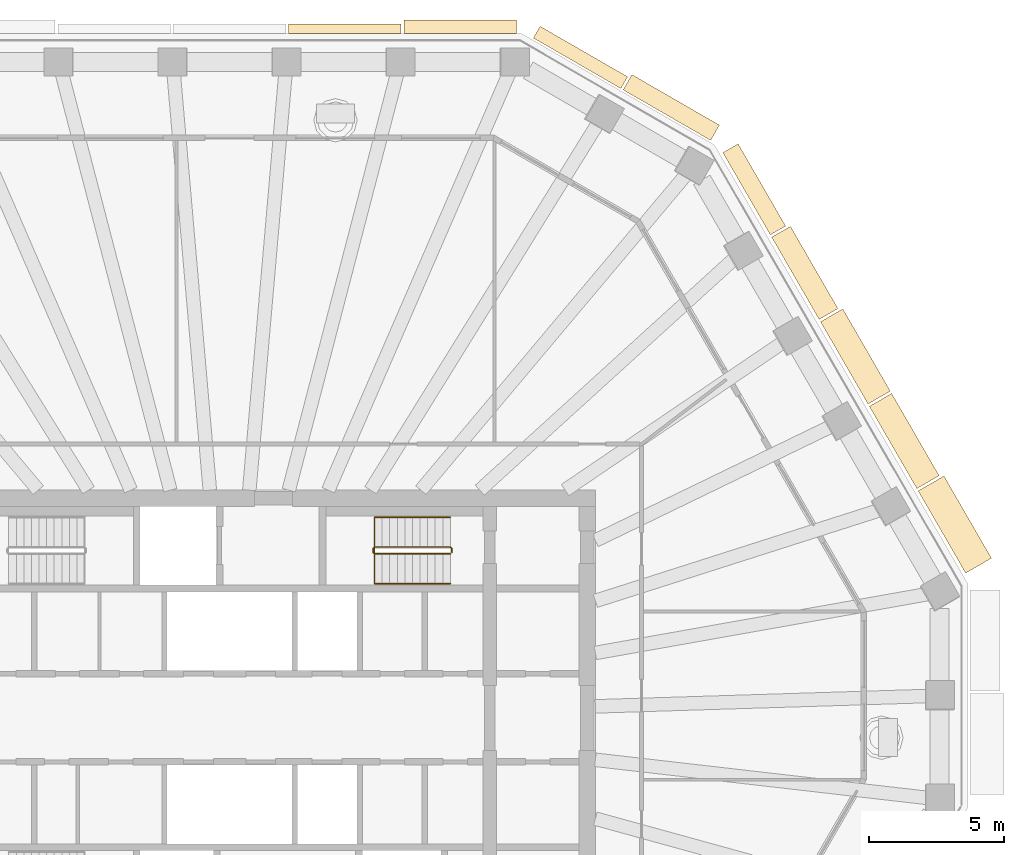
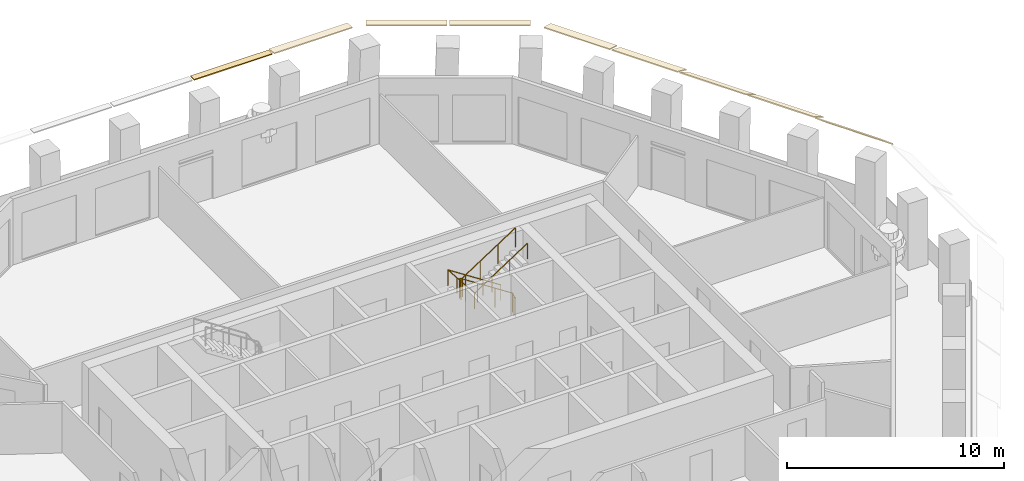
# One storey, part 10 of 12: 9 coverings, 2 railings.
"""IFC4 building model written with IfcOpenShell, lengths in metres."""

from ifc_helpers import new_model, si_unit, direction, frame, origin, origin_2d, place, context, subcontext, project, spatial, polyline, circle, outline, extrude, material, layer, layer_set, type_object, element, save


model = new_model("IFC4")

# Units and contexts
model_context = context("Model", 3, precision=1e-05, world=origin(), true_north=direction((0.0, 1.0)))
body_context = subcontext(model_context, "Body", "Model", "MODEL_VIEW")
ifc_project = project(units=[si_unit("LENGTHUNIT", "METRE"), si_unit("AREAUNIT", "SQUARE_METRE"), si_unit("VOLUMEUNIT", "CUBIC_METRE"), si_unit("PLANEANGLEUNIT", "RADIAN"), si_unit("MASSUNIT", "GRAM", prefix="KILO")], contexts=[model_context])

# Site, building, storey
site_placement = place(None, origin())
site = spatial("IfcSite", under=ifc_project, at=site_placement, CompositionType="ELEMENT")
building_placement = place(site_placement, origin())
building = spatial("IfcBuilding", under=site, at=building_placement, Name="Frailejon Research Tower", CompositionType="ELEMENT")
storey_placement = place(building_placement, frame((0.0, 0.0, 237.39990234375)))
storey = spatial("IfcBuildingStorey", under=building, at=storey_placement, Name="L51", CompositionType="ELEMENT", Elevation=237.39990234375)

# Coverings
ifc_material_1 = material(Name="Precast concrete C50/60", Category="concrete")
ifc_layer_1 = layer(ifc_material_1, 0.06005859375)
ifc_layer_set_1 = layer_set([ifc_layer_1], Name="Brim blade depth 1100")
covering_type_1 = type_object("IfcCoveringType", Name="Brim blade depth 1100", PredefinedType="CLADDING", material=ifc_layer_set_1)
covering_1_placement = place(storey_placement, frame((25.4111328125, 8.3720703125, 3.85009765625), z_axis=(0.500001099119, -0.866024769207, 0.0), x_axis=(0.866024769207, 0.500001099119, 0.0)))
element("IfcCovering", 1, at=covering_1_placement, inside=storey, type_object=covering_type_1, Name="Brim blade L51", PredefinedType="CLADDING", context=body_context, shape_type="SweptSolid", body=[
    extrude(outline(polyline([(0.0, -0.078369140625), (1.10009765625, -1.001220703125), (1.10009765625, -0.923095703125), (0.0, 0.0), (0.0, -0.078369140625)])), origin(), (0.0, 0.0, 1.0), 3.503662109375),
])
ifc_material_2 = material(Name="Precast concrete C50/60", Category="concrete")
ifc_layer_2 = layer(ifc_material_2, 0.06005859375)
ifc_layer_set_2 = layer_set([ifc_layer_2], Name="Brim blade depth 350")
covering_type_2 = type_object("IfcCoveringType", Name="Brim blade depth 350", PredefinedType="CLADDING", material=ifc_layer_set_2)
covering_2_placement = place(storey_placement, frame((2.178466796875, 25.25, 3.85009765625), z_axis=(1.0, 0.0, 0.0), x_axis=(0.0, 1.0, 0.0)))
element("IfcCovering", 2, at=covering_2_placement, inside=storey, type_object=covering_type_2, Name="Brim blade L51", PredefinedType="CLADDING", context=body_context, shape_type="SweptSolid", body=[
    extrude(outline(polyline([(0.0, -0.06005859375), (0.35009765625, -0.06005859375), (0.35009765625, 0.0), (0.0, 0.0), (0.0, -0.06005859375)])), origin(), (0.0, 0.0, 1.0), 4.15673828125),
])
ifc_material_3 = material(Name="Precast concrete C50/60", Category="concrete")
ifc_layer_3 = layer(ifc_material_3, 0.06005859375)
ifc_layer_set_3 = layer_set([ifc_layer_3], Name="Brim blade depth 500")
covering_type_3 = type_object("IfcCoveringType", Name="Brim blade depth 500", PredefinedType="CLADDING", material=ifc_layer_set_3)
covering_3_placement = place(storey_placement, frame((11.210205078125, 25.084228515625, 3.85009765625), z_axis=(0.866018477835, -0.500011995905, 0.0), x_axis=(0.500011995905, 0.866018477835, 0.0)))
element("IfcCovering", 3, at=covering_3_placement, inside=storey, type_object=covering_type_3, Name="Brim blade L51", PredefinedType="CLADDING", context=body_context, shape_type="SweptSolid", body=[
    extrude(outline(polyline([(0.0, -0.060546875), (0.5, -0.130859375), (0.5, -0.0703125), (0.0, 0.0), (0.0, -0.060546875)])), origin(), (0.0, 0.0, 1.0), 3.726806640625),
])
covering_4_placement = place(storey_placement, frame((6.43505859375, 25.25, 3.85009765625), z_axis=(1.0, 0.0, 0.0), x_axis=(0.0, 1.0, 0.0)))
element("IfcCovering", 4, at=covering_4_placement, inside=storey, type_object=covering_type_3, Name="Brim blade L51", PredefinedType="CLADDING", context=body_context, shape_type="SweptSolid", body=[
    extrude(outline(polyline([(0.0, -0.060546875), (0.5, -0.130859375), (0.5, -0.0703125), (0.0, 0.0), (0.0, -0.060546875)])), origin(), (0.0, 0.0, 1.0), 4.15673828125),
])
ifc_material_4 = material(Name="Precast concrete C50/60", Category="concrete")
ifc_layer_4 = layer(ifc_material_4, 0.06005859375)
ifc_layer_set_4 = layer_set([ifc_layer_4], Name="Brim blade depth 650")
covering_type_4 = type_object("IfcCoveringType", Name="Brim blade depth 650", PredefinedType="CLADDING", material=ifc_layer_set_4)
covering_5_placement = place(storey_placement, frame((18.2041015625, 20.85498046875, 3.85009765625), z_axis=(0.49998028616, -0.866036785276, 0.0), x_axis=(0.866036785276, 0.49998028616, 0.0)))
element("IfcCovering", 5, at=covering_5_placement, inside=storey, type_object=covering_type_4, Name="Brim blade L51", PredefinedType="CLADDING", context=body_context, shape_type="SweptSolid", body=[
    extrude(outline(polyline([(0.0, -0.0625), (0.64990234375, -0.248779296875), (0.64990234375, -0.186279296875), (0.0, 0.0), (0.0, -0.0625)])), origin(), (0.0, 0.0, 1.0), 3.50341796875),
])
covering_6_placement = place(storey_placement, frame((14.524169921875, 23.1708984375, 3.85009765625), z_axis=(0.866036325866, -0.499981081923, 0.0), x_axis=(0.499981081923, 0.866036325866, 0.0)))
element("IfcCovering", 6, at=covering_6_placement, inside=storey, type_object=covering_type_4, Name="Brim blade L51", PredefinedType="CLADDING", context=body_context, shape_type="SweptSolid", body=[
    extrude(outline(polyline([(0.0, -0.0625), (0.64990234375, -0.248779296875), (0.64990234375, -0.186279296875), (0.0, 0.0), (0.0, -0.0625)])), origin(), (0.0, 0.0, 1.0), 3.726806640625),
])
ifc_material_5 = material(Name="Precast concrete C50/60", Category="concrete")
ifc_layer_5 = layer(ifc_material_5, 0.06005859375)
ifc_layer_set_5 = layer_set([ifc_layer_5], Name="Brim blade depth 800")
covering_type_5 = type_object("IfcCoveringType", Name="Brim blade depth 800", PredefinedType="CLADDING", material=ifc_layer_set_5)
covering_7_placement = place(storey_placement, frame((20.005859375, 17.734130859375, 3.85009765625), z_axis=(0.500013114872, -0.866017831777, 0.0), x_axis=(0.866017831777, 0.500013114872, 0.0)))
element("IfcCovering", 7, at=covering_7_placement, inside=storey, type_object=covering_type_5, Name="Brim blade L51", PredefinedType="CLADDING", context=body_context, shape_type="SweptSolid", body=[
    extrude(outline(polyline([(0.0, -0.065673828125), (0.800048828125, -0.421875), (0.800048828125, -0.356201171875), (0.0, 0.0), (0.0, -0.065673828125)])), origin(), (0.0, 0.0, 1.0), 3.50341796875),
])
ifc_material_6 = material(Name="Precast concrete C50/60", Category="concrete")
ifc_layer_6 = layer(ifc_material_6, 0.06005859375)
ifc_layer_set_6 = layer_set([ifc_layer_6], Name="Brim blade depth 950")
covering_type_6 = type_object("IfcCoveringType", Name="Brim blade depth 950", PredefinedType="CLADDING", material=ifc_layer_set_6)
covering_8_placement = place(storey_placement, frame((23.609619140625, 11.49267578125, 3.85009765625), z_axis=(0.499992302078, -0.866029848136, 0.0), x_axis=(0.866029848136, 0.499992302078, 0.0)))
element("IfcCovering", 8, at=covering_8_placement, inside=storey, type_object=covering_type_6, Name="Brim blade L51", PredefinedType="CLADDING", context=body_context, shape_type="SweptSolid", body=[
    extrude(outline(polyline([(0.0, -0.07080078125), (0.949951171875, -0.664306640625), (0.949951171875, -0.593505859375), (0.0, 0.0), (0.0, -0.07080078125)])), origin(), (0.0, 0.0, 1.0), 3.50341796875),
])
covering_9_placement = place(storey_placement, frame((21.8076171875, 14.613525390625, 3.85009765625), z_axis=(0.500001099119, -0.866024769207, 0.0), x_axis=(0.866024769207, 0.500001099119, 0.0)))
element("IfcCovering", 9, at=covering_9_placement, inside=storey, type_object=covering_type_6, Name="Brim blade L51", PredefinedType="CLADDING", context=body_context, shape_type="SweptSolid", body=[
    extrude(outline(polyline([(0.0, -0.07080078125), (0.949951171875, -0.664306640625), (0.949951171875, -0.593505859375), (0.0, 0.0), (0.0, -0.07080078125)])), origin(), (0.0, 0.0, 1.0), 3.503662109375),
])

# Railings
ifc_material_7 = material(Name="Stainless steel", Category="steel")
railing_type_1 = type_object("IfcRailingType", Name="Stair guard 1100", PredefinedType="GUARDRAIL", material=ifc_material_7)
railing_1_placement = place(storey_placement, frame((8.199951171875, 6.10009765625, 0.0)))
element("IfcRailing", 10, at=railing_1_placement, inside=storey, type_object=railing_type_1, Name="L51 ST3 stair guard 1", PredefinedType="GUARDRAIL", context=body_context, shape_type="SweptSolid", body=[
    extrude(circle(Radius=0.02392578125, at=origin_2d()), frame((0.0, 0.0, 1.076171875), z_axis=(0.0, 1.0, 0.0), x_axis=(-1.0, 0.0, 0.0)), (0.0, 0.0, 1.0), 0.14990234375),
    extrude(circle(Radius=0.02392578125, at=origin_2d()), frame((0.0, 0.14990234375, 1.076171875), z_axis=(-0.256435381639, 0.256435381639, 0.931923704005), x_axis=(-0.707106781187, -0.707106781187, 0.0)), (0.0, 0.0, 1.0), 0.195068359375),
    extrude(circle(Radius=0.02392578125, at=origin_2d()), frame((-0.050048828125, 0.199951171875, 1.2578125), z_axis=(-0.83868413941, 0.0, 0.544618136222), x_axis=(0.0, -1.0, 0.0)), (0.0, 0.0, 1.0), 3.33837890625),
    extrude(circle(Radius=0.02392578125, at=origin_2d()), frame((-2.849853515625, 0.199951171875, 3.076171875), z_axis=(-0.707106781187, -0.707106781187, 0.0), x_axis=(0.707106781187, -0.707106781187, 0.0)), (0.0, 0.0, 1.0), 0.07080078125),
    extrude(circle(Radius=0.02392578125, at=origin_2d()), frame((-2.89990234375, 0.14990234375, 3.076171875), z_axis=(0.0, -1.0, 0.0), x_axis=(1.0, 0.0, 0.0)), (0.0, 0.0, 1.0), 0.14990234375),
    extrude(circle(Radius=0.02392578125, at=origin_2d()), frame((-2.89990234375, 0.0, 3.076171875), z_axis=(0.256435381639, -0.256435381639, 0.931923704005), x_axis=(0.707106781187, 0.707106781187, 0.0)), (0.0, 0.0, 1.0), 0.195068359375),
    extrude(circle(Radius=0.02392578125, at=origin_2d()), frame((-2.849853515625, -0.050048828125, 3.2578125), z_axis=(0.83868413941, 0.0, 0.544618136222), x_axis=(0.0, 1.0, 0.0)), (0.0, 0.0, 1.0), 3.33837890625),
    extrude(circle(Radius=0.02099609375, at=origin_2d()), origin(), (0.0, 0.0, 1.0), 1.052001953125),
    extrude(circle(Radius=0.02099609375, at=origin_2d()), frame((0.0, 0.14990234375, 0.0)), (0.0, 0.0, 1.0), 1.052001953125),
    extrude(circle(Radius=0.02099609375, at=origin_2d()), frame((-0.050048828125, 0.199951171875, 0.181884765625)), (0.0, 0.0, 1.0), 1.052001953125),
    extrude(circle(Radius=0.02099609375, at=origin_2d()), frame((-0.9833984375, 0.199951171875, 0.787841796875)), (0.0, 0.0, 1.0), 1.052001953125),
    extrude(circle(Radius=0.02099609375, at=origin_2d()), frame((-1.91650390625, 0.199951171875, 1.39404296875)), (0.0, 0.0, 1.0), 1.052001953125),
    extrude(circle(Radius=0.02099609375, at=origin_2d()), frame((-2.849853515625, 0.199951171875, 2.0)), (0.0, 0.0, 1.0), 1.052001953125),
    extrude(circle(Radius=0.02099609375, at=origin_2d()), frame((-2.89990234375, 0.14990234375, 2.0)), (0.0, 0.0, 1.0), 1.052001953125),
    extrude(circle(Radius=0.02099609375, at=origin_2d()), frame((-2.89990234375, 0.0, 2.0)), (0.0, 0.0, 1.0), 1.052001953125),
    extrude(circle(Radius=0.02099609375, at=origin_2d()), frame((-2.849853515625, -0.050048828125, 2.181884765625)), (0.0, 0.0, 1.0), 1.052001953125),
    extrude(circle(Radius=0.02099609375, at=origin_2d()), frame((-1.91650390625, -0.050048828125, 2.787841796875)), (0.0, 0.0, 1.0), 1.052001953125),
    extrude(circle(Radius=0.02099609375, at=origin_2d()), frame((-0.9833984375, -0.050048828125, 3.39404296875)), (0.0, 0.0, 1.0), 1.052001953125),
    extrude(circle(Radius=0.02099609375, at=origin_2d()), frame((-0.050048828125, -0.050048828125, 4.0)), (0.0, 0.0, 1.0), 1.052001953125),
])
ifc_material_8 = material(Name="Stainless steel", Category="steel")
railing_type_2 = type_object("IfcRailingType", Name="Stair handrail 900", PredefinedType="HANDRAIL", material=ifc_material_8)
railing_2_placement = place(storey_placement, frame((8.14990234375, 7.39990234375, 0.181884765625)))
element("IfcRailing", 11, at=railing_2_placement, inside=storey, type_object=railing_type_2, Name="L51 ST3 stair handrail 1", PredefinedType="HANDRAIL", context=body_context, shape_type="SweptSolid", body=[
    extrude(circle(Radius=0.02392578125, at=origin_2d()), frame((0.0, 0.0, 0.8759765625), z_axis=(-0.83868413941, 0.0, 0.544618136222), x_axis=(0.0, -1.0, 0.0)), (0.0, 0.0, 1.0), 3.33837890625),
    extrude(circle(Radius=0.02392578125, at=origin_2d()), frame((-2.7998046875, 0.0, 2.69384765625), z_axis=(0.0, -0.997255538948, 0.074036410216), x_axis=(1.0, 0.0, 0.0)), (0.0, 0.0, 1.0), 2.456787109375),
    extrude(circle(Radius=0.02392578125, at=origin_2d()), frame((-2.7998046875, -2.449951171875, 2.8759765625), z_axis=(0.83868413941, 0.0, 0.544618136222), x_axis=(0.0, 1.0, 0.0)), (0.0, 0.0, 1.0), 3.33837890625),
    extrude(circle(Radius=0.02099609375, at=origin_2d()), origin(), (0.0, 0.0, 1.0), 0.851806640625),
    extrude(circle(Radius=0.02099609375, at=origin_2d()), frame((-0.933349609375, 0.0, 0.60595703125)), (0.0, 0.0, 1.0), 0.851806640625),
    extrude(circle(Radius=0.02099609375, at=origin_2d()), frame((-1.866455078125, 0.0, 1.212158203125)), (0.0, 0.0, 1.0), 0.851806640625),
    extrude(circle(Radius=0.02099609375, at=origin_2d()), frame((-2.7998046875, 0.0, 1.818115234375)), (0.0, 0.0, 1.0), 0.851806640625),
    extrude(circle(Radius=0.02099609375, at=origin_2d()), frame((-2.7998046875, -0.816650390625, 1.878662109375)), (0.0, 0.0, 1.0), 0.851806640625),
    extrude(circle(Radius=0.02099609375, at=origin_2d()), frame((-2.7998046875, -1.63330078125, 1.939453125)), (0.0, 0.0, 1.0), 0.851806640625),
    extrude(circle(Radius=0.02099609375, at=origin_2d()), frame((-2.7998046875, -2.449951171875, 2.0)), (0.0, 0.0, 1.0), 0.851806640625),
    extrude(circle(Radius=0.02099609375, at=origin_2d()), frame((-1.866455078125, -2.449951171875, 2.60595703125)), (0.0, 0.0, 1.0), 0.851806640625),
    extrude(circle(Radius=0.02099609375, at=origin_2d()), frame((-0.933349609375, -2.449951171875, 3.212158203125)), (0.0, 0.0, 1.0), 0.851806640625),
    extrude(circle(Radius=0.02099609375, at=origin_2d()), frame((0.0, -2.449951171875, 3.818115234375)), (0.0, 0.0, 1.0), 0.851806640625),
])

save(model, "model.ifc")
